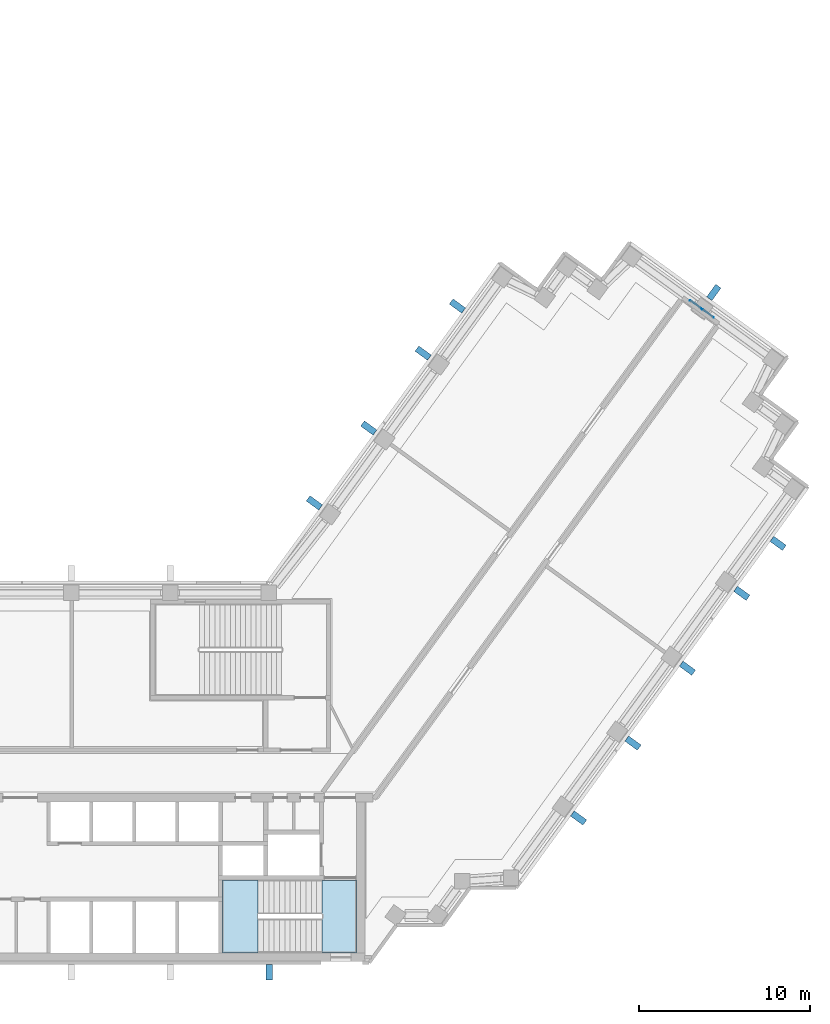
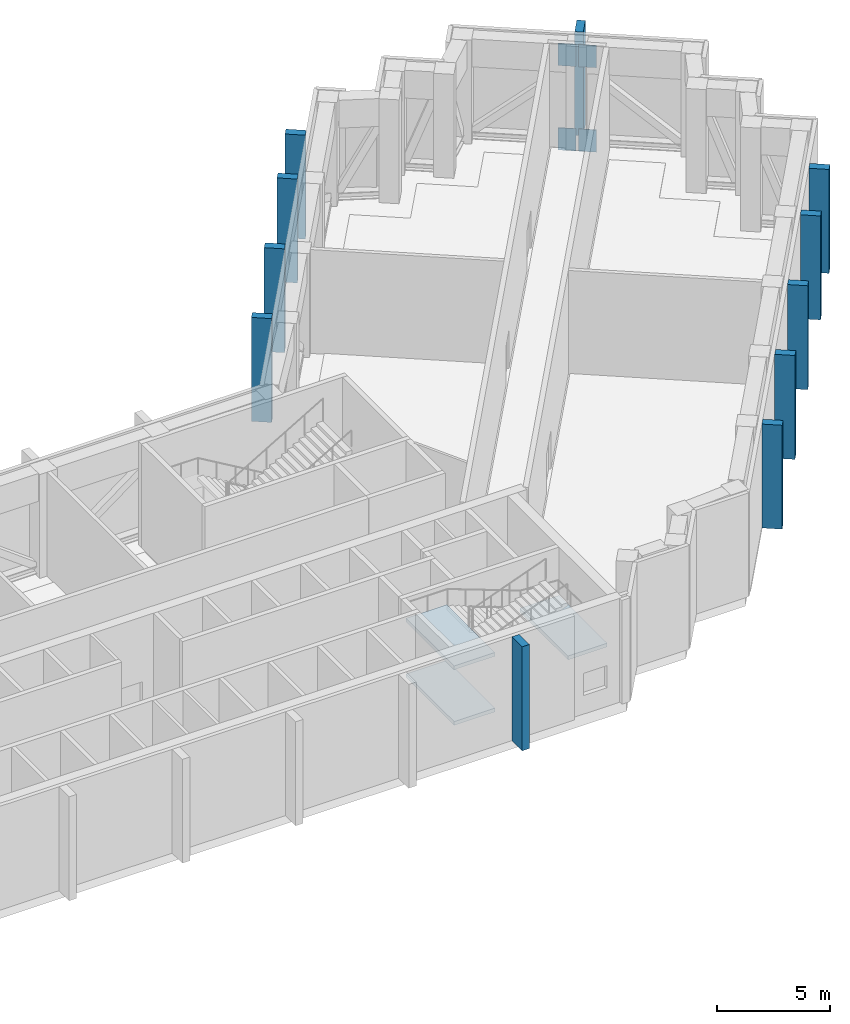
# One storey, part 6 of 16: 15 plates, 3 slabs, 1 element without a shape of its own.
"""IFC4 building model written with IfcOpenShell, lengths in metres."""

from ifc_helpers import new_model, si_unit, direction, frame, origin, origin_2d, place, context, subcontext, project, spatial, polyline, rectangle, outline, extrude, material, layer, layer_set, type_object, element, aggregate, save


model = new_model("IFC4")

# Units and contexts
model_context = context("Model", 3, precision=1e-05, world=origin(), true_north=direction((0.0, 1.0)))
body_context = subcontext(model_context, "Body", "Model", "MODEL_VIEW")
ifc_project = project(units=[si_unit("LENGTHUNIT", "METRE"), si_unit("AREAUNIT", "SQUARE_METRE"), si_unit("VOLUMEUNIT", "CUBIC_METRE"), si_unit("PLANEANGLEUNIT", "RADIAN"), si_unit("MASSUNIT", "GRAM", prefix="KILO")], contexts=[model_context])

# Site, building, storey
site_placement = place(None, origin())
site = spatial("IfcSite", under=ifc_project, at=site_placement, CompositionType="ELEMENT")
building_placement = place(site_placement, origin())
building = spatial("IfcBuilding", under=site, at=building_placement, Name="Quipu Civic Tower", CompositionType="ELEMENT")
storey_placement = place(building_placement, frame((0.0, 0.0, 133.0)))
storey = spatial("IfcBuildingStorey", under=building, at=storey_placement, Name="L31", CompositionType="ELEMENT", Elevation=133.0)

# Plates
ifc_material_1 = material(Name="Steel ASTM A572 Grade 50 (fy 345 MPa)", Category="steel")
ifc_layer_1 = layer(ifc_material_1, 0.030029296875)
ifc_layer_set_1 = layer_set([ifc_layer_1], Name="Steel ASTM A572 Grade 50 (fy 345 MPa)")
plate_type_1 = type_object("IfcPlateType", Name="Cast in plate BC3", PredefinedType="SHEET", material=ifc_layer_set_1)
for number, where, z_axis, x_axis, name in (
    (1, (40.025390625, 26.797119140625, -0.30322265625), (0.0, 0.0, 1.0), (0.809037511458, -0.587757011914, 0.0), "Cast-in plate BC3 L31 032"),
    (2, (39.29736328125, 27.326171875, -0.30322265625), (0.0, 0.0, 1.0), (0.809037511458, -0.587757011914, 0.0), "Cast-in plate BC3 L31 035"),
):
    element("IfcPlate", number, at=place(storey_placement, frame(where, z_axis=z_axis, x_axis=x_axis)), inside=storey, type_object=plate_type_1, Name=name, PredefinedType="SHEET", context=body_context, shape_type="SweptSolid", body=[
        extrude(rectangle(XDim=0.800048828125, YDim=0.030029296875, at=origin_2d()), origin(), (0.0, 0.0, 1.0), 1.199951171875),
    ])
ifc_material_2 = material(Name="Steel ASTM A572 Grade 50 (fy 345 MPa)", Category="steel")
ifc_layer_2 = layer(ifc_material_2, 0.030029296875)
ifc_layer_set_2 = layer_set([ifc_layer_2], Name="Steel ASTM A572 Grade 50 (fy 345 MPa)")
plate_type_2 = type_object("IfcPlateType", Name="Cast in plate TC1", PredefinedType="SHEET", material=ifc_layer_set_2)
for number, where, z_axis, x_axis, name in (
    (3, (40.025390625, 26.797119140625, 4.25), (0.0, 0.0, 1.0), (0.809037511458, -0.587757011914, 0.0), "Cast-in plate TC1 L31 031"),
    (4, (39.29736328125, 27.326171875, 4.25), (0.0, 0.0, 1.0), (0.809037511458, -0.587757011914, 0.0), "Cast-in plate TC1 L31 034"),
):
    element("IfcPlate", number, at=place(storey_placement, frame(where, z_axis=z_axis, x_axis=x_axis)), inside=storey, type_object=plate_type_2, Name=name, PredefinedType="SHEET", context=body_context, shape_type="SweptSolid", body=[
        extrude(rectangle(XDim=0.800048828125, YDim=0.030029296875, at=origin_2d()), origin(), (0.0, 0.0, 1.0), 1.199951171875),
    ])
ifc_material_3 = material(Name="Precast concrete C40/50", Category="concrete")
plate_type_3 = type_object("IfcPlateType", Name="Precast fin F2", PredefinedType="SHEET", material=ifc_material_3)
for number, where, z_axis, x_axis, name in (
    (5, (14.431884765625, -11.637939453125, 0.0), (0.0, 0.0, 1.0), (1.0, 0.0, 0.0), "Precast fin F2 L31.19.6"),
    (6, (32.468994140625, -2.6376953125, 0.0), (0.0, 0.0, 1.0), (0.587785620359, 0.809016726959, 0.0), "Precast fin F2 L31.25.1"),
    (7, (35.64306640625, 1.73095703125, 0.0), (0.0, 0.0, 1.0), (0.587785620359, 0.809016726959, 0.0), "Precast fin F2 L31.25.2"),
    (8, (38.817138671875, 6.099853515625, 0.0), (0.0, 0.0, 1.0), (0.587785620359, 0.809016726959, 0.0), "Precast fin F2 L31.25.3"),
    (9, (41.9912109375, 10.468505859375, 0.0), (0.0, 0.0, 1.0), (0.587785620359, 0.809016726959, 0.0), "Precast fin F2 L31.25.4"),
    (10, (44.108642578125, 13.3828125, 0.0), (0.0, 0.0, 1.0), (0.587785620359, 0.809016726959, 0.0), "Precast fin F2 L31.25.5"),
    (11, (40.359619140625, 28.022705078125, 0.0), (0.0, 0.0, 1.0), (-0.809017072762, 0.587785144401, 0.0), "Precast fin F2 L31.30.1"),
    (12, (25.3984375, 27.22998046875, 0.0), (0.0, 0.0, 1.0), (-0.587787133119, -0.809015627871, 0.0), "Precast fin F2 L31.35.1"),
    (13, (23.4013671875, 24.481201171875, 0.0), (0.0, 0.0, 1.0), (-0.587787133119, -0.809015627871, 0.0), "Precast fin F2 L31.35.2"),
    (14, (20.227294921875, 20.112548828125, 0.0), (0.0, 0.0, 1.0), (-0.587787133119, -0.809015627871, 0.0), "Precast fin F2 L31.35.3"),
    (15, (17.05322265625, 15.743896484375, 0.0), (0.0, 0.0, 1.0), (-0.587787133119, -0.809015627871, 0.0), "Precast fin F2 L31.35.4"),
):
    element("IfcPlate", number, at=place(storey_placement, frame(where, z_axis=z_axis, x_axis=x_axis)), inside=storey, type_object=plate_type_3, Name=name, PredefinedType="SHEET", context=body_context, shape_type="SweptSolid", body=[
        extrude(rectangle(XDim=0.3798828125, YDim=0.89990234375, at=origin_2d()), origin(), (0.0, 0.0, 1.0), 5.60009765625),
    ])

# Stair, slabs
ifc_material_4 = material(Name="Concrete C40/50", Category="concrete")
stair_type = type_object("IfcStairType", Name="Half turn stair 2000", PredefinedType="HALF_TURN_STAIR", material=ifc_material_4)
stair_placement = place(storey_placement, origin())
stair = element("IfcStair", 16, at=stair_placement, inside=storey, type_object=stair_type, Name="Exit stair 2", PredefinedType="HALF_TURN_STAIR")
ifc_material_5 = material(Name="Concrete C40/50", Category="concrete")
ifc_layer_3 = layer(ifc_material_5, 0.199951171875)
ifc_layer_set_3 = layer_set([ifc_layer_3], Name="Concrete C40/50")
slab_type = type_object("IfcSlabType", Name="Stair landing 200", PredefinedType="LANDING", material=ifc_layer_set_3)
slab_1_placement = place(storey_placement, frame((0.0, 0.0, 1.300048828125)))
slab_1 = element("IfcSlab", 17, at=slab_1_placement, type_object=slab_type, Name="ST-2 landing 1", PredefinedType="LANDING", context=body_context, shape_type="SweptSolid", body=[
    extrude(outline(polyline([(13.780029296875, -6.25), (11.699951171875, -6.25), (11.699951171875, -10.5), (13.780029296875, -10.5), (13.780029296875, -6.25)])), origin(), (0.0, 0.0, 1.0), 0.199951171875),
])
slab_2_placement = place(storey_placement, frame((0.0, 0.0, 2.800048828125)))
slab_2 = element("IfcSlab", 18, at=slab_2_placement, type_object=slab_type, Name="ST-2 landing 2", PredefinedType="LANDING", context=body_context, shape_type="SweptSolid", body=[
    extrude(outline(polyline([(19.5, -6.25), (17.5, -6.25), (17.5, -10.5), (19.5, -10.5), (19.5, -6.25)])), origin(), (0.0, 0.0, 1.0), 0.199951171875),
])
slab_3_placement = place(storey_placement, frame((0.0, 0.0, 4.300048828125)))
slab_3 = element("IfcSlab", 19, at=slab_3_placement, type_object=slab_type, Name="ST-2 landing 3", PredefinedType="LANDING", context=body_context, shape_type="SweptSolid", body=[
    extrude(outline(polyline([(13.780029296875, -6.25), (11.699951171875, -6.25), (11.699951171875, -10.5), (13.780029296875, -10.5), (13.780029296875, -6.25)])), origin(), (0.0, 0.0, 1.0), 0.199951171875),
])
aggregate(stair, [slab_1, slab_2, slab_3])

save(model, "model.ifc")
